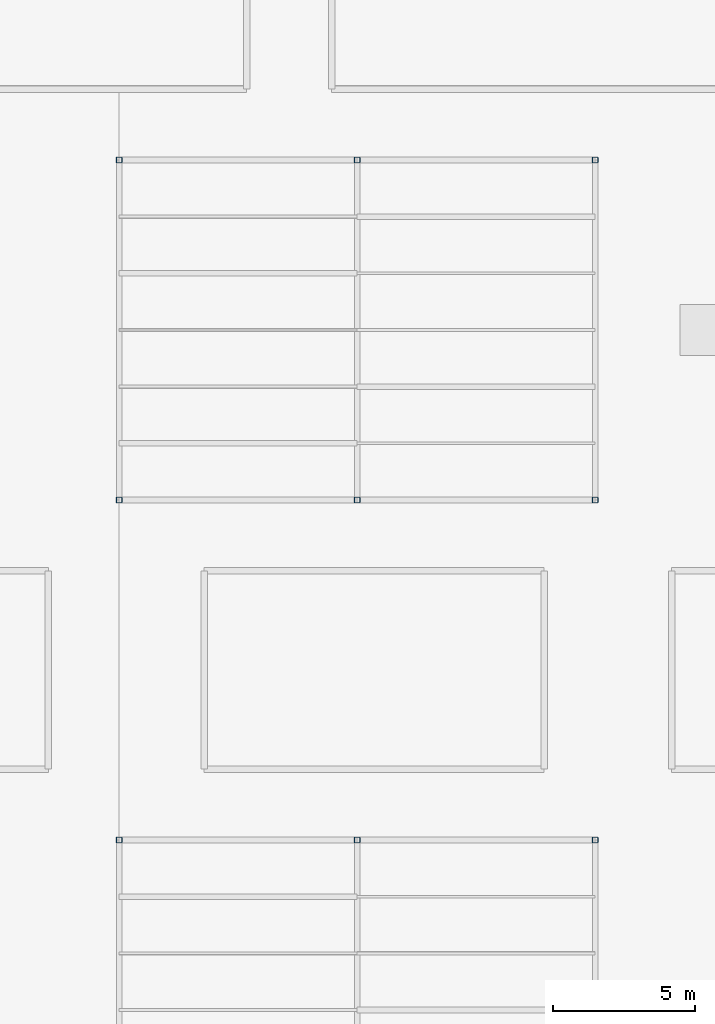
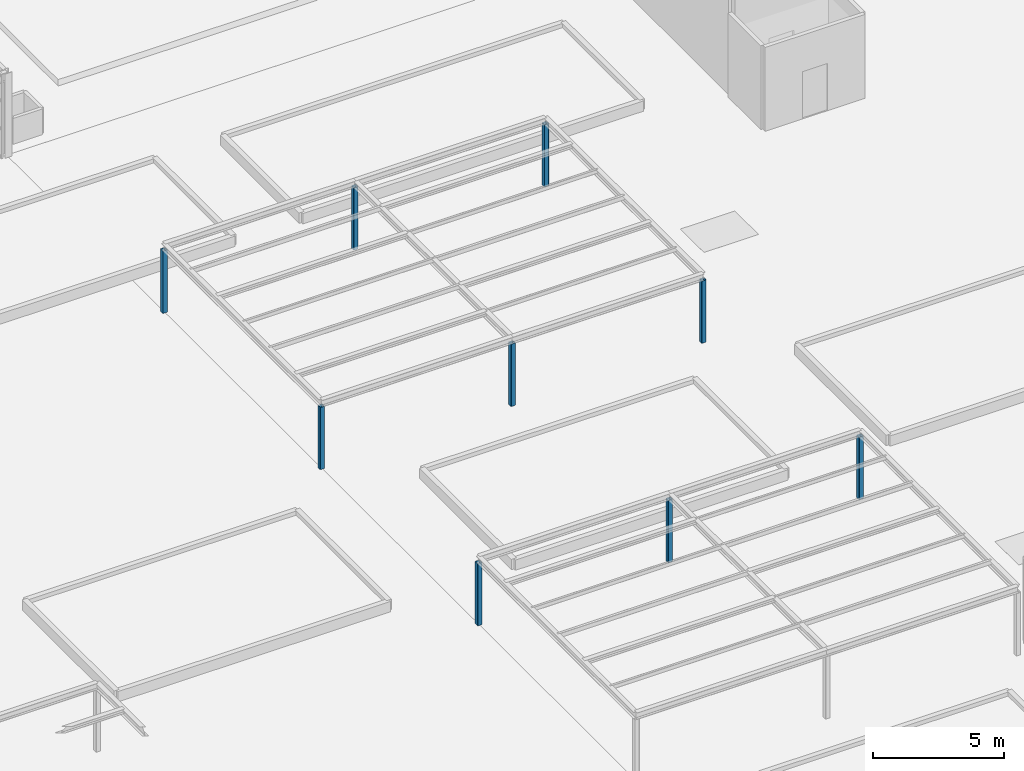
# One storey, part 8 of 49: 9 columns.
"""IFC4 building model written with IfcOpenShell, lengths in metres."""

from ifc_helpers import new_model, si_unit, direction, frame, origin, origin_2d, place, context, subcontext, project, spatial, hollow_rectangle, extrude, material, material_profile, profile_set, type_object, element, save


model = new_model("IFC4")

# Units and contexts
model_context = context("Model", 3, precision=1e-05, world=origin(), true_north=direction((0.0, 1.0)))
body_context = subcontext(model_context, "Body", "Model", "MODEL_VIEW")
ifc_project = project(units=[si_unit("LENGTHUNIT", "METRE"), si_unit("AREAUNIT", "SQUARE_METRE"), si_unit("VOLUMEUNIT", "CUBIC_METRE"), si_unit("PLANEANGLEUNIT", "RADIAN"), si_unit("MASSUNIT", "GRAM", prefix="KILO")], contexts=[model_context])

# Site, building, storey
site_placement = place(None, origin())
site = spatial("IfcSite", under=ifc_project, at=site_placement, CompositionType="ELEMENT")
building_placement = place(site_placement, origin())
building = spatial("IfcBuilding", under=site, at=building_placement, Name="Sitalva Quay Ferry Terminal", CompositionType="ELEMENT")
storey_placement = place(building_placement, frame((0.0, 0.0, 10.199951171875)))
storey = spatial("IfcBuildingStorey", under=building, at=storey_placement, Name="L03", CompositionType="ELEMENT", Elevation=10.199951171875)

# Columns
ifc_material = material(Name="Structural Steel S355JR", Category="steel")
ifc_material_profile = material_profile(ifc_material, hollow_rectangle(XDim=0.199951171875, YDim=0.199951171875, WallThickness=0.010009765625, InnerFilletRadius=0.010009765625, OuterFilletRadius=0.02001953125, at=origin_2d()), Name="SHS200x200x10")
ifc_profile_set = profile_set([ifc_material_profile], Name="Structural Steel S355JR")
column_type = type_object("IfcColumnType", Name="Col_SHS200x10", PredefinedType="COLUMN", material=ifc_profile_set)
for number, where, z_axis, x_axis, name in (
    (1, (126.0, 42.0, 0.0), (0.0, 0.0, 1.0), (1.0, 0.0, 0.0), "L03 column 16F"),
    (2, (134.39990234375, 42.0, 0.0), (0.0, 0.0, 1.0), (1.0, 0.0, 0.0), "L03 column 17F"),
    (3, (142.800048828125, 42.0, 0.0), (0.0, 0.0, 1.0), (1.0, 0.0, 0.0), "L03 column 18F"),
    (4, (126.0, 54.0, 0.0), (0.0, 0.0, 1.0), (1.0, 0.0, 0.0), "L03 column 16G"),
    (5, (134.39990234375, 54.0, 0.0), (0.0, 0.0, 1.0), (1.0, 0.0, 0.0), "L03 column 17G"),
    (6, (142.800048828125, 54.0, 0.0), (0.0, 0.0, 1.0), (1.0, 0.0, 0.0), "L03 column 18G"),
    (7, (126.0, 66.0, 0.0), (0.0, 0.0, 1.0), (1.0, 0.0, 0.0), "L03 column 16H"),
    (8, (134.39990234375, 66.0, 0.0), (0.0, 0.0, 1.0), (1.0, 0.0, 0.0), "L03 column 17H"),
    (9, (142.800048828125, 66.0, 0.0), (0.0, 0.0, 1.0), (1.0, 0.0, 0.0), "L03 column 18H"),
):
    element("IfcColumn", number, at=place(storey_placement, frame(where, z_axis=z_axis, x_axis=x_axis)), inside=storey, type_object=column_type, Name=name, PredefinedType="COLUMN", context=body_context, shape_type="SweptSolid", body=[
        extrude(hollow_rectangle(XDim=0.199951171875, YDim=0.199951171875, WallThickness=0.010009765625, InnerFilletRadius=0.010009765625, OuterFilletRadius=0.02001953125, at=origin_2d()), origin(), (0.0, 0.0, 1.0), 2.89697265625),
    ])

save(model, "model.ifc")
